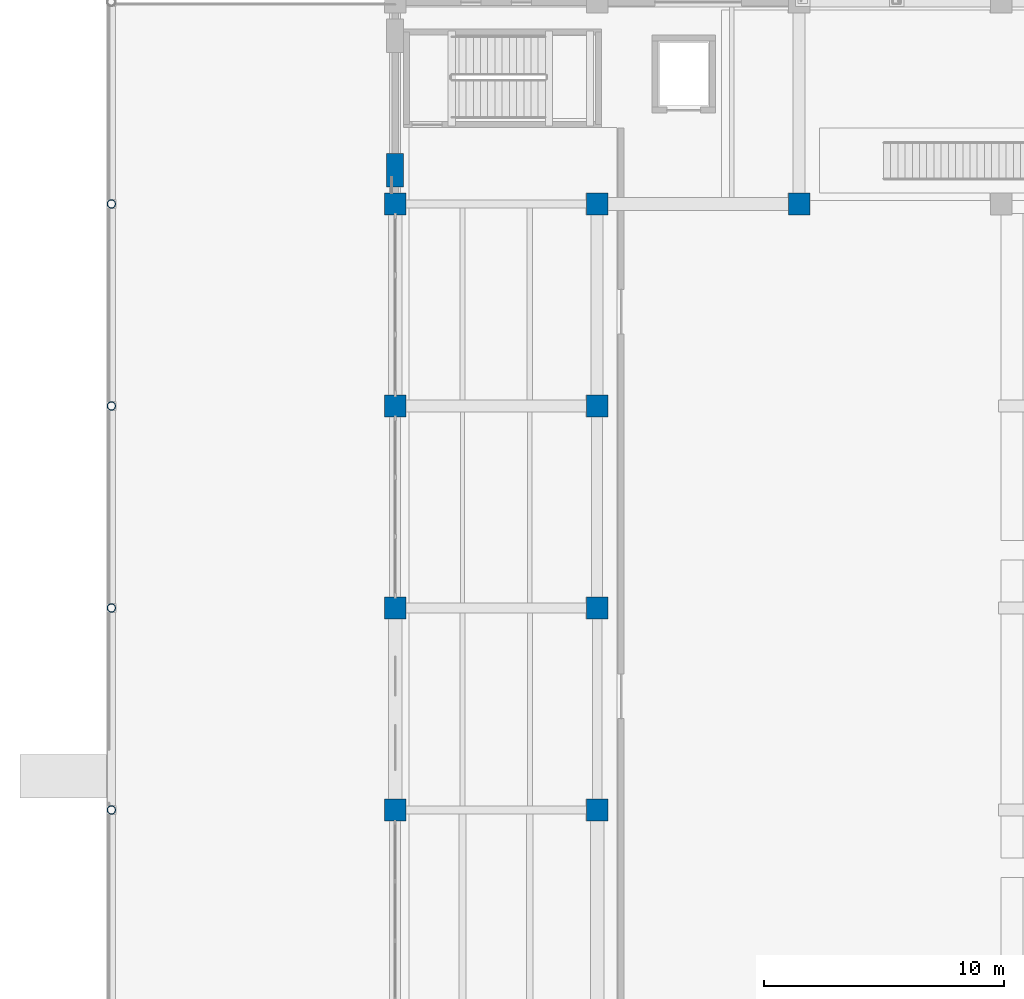
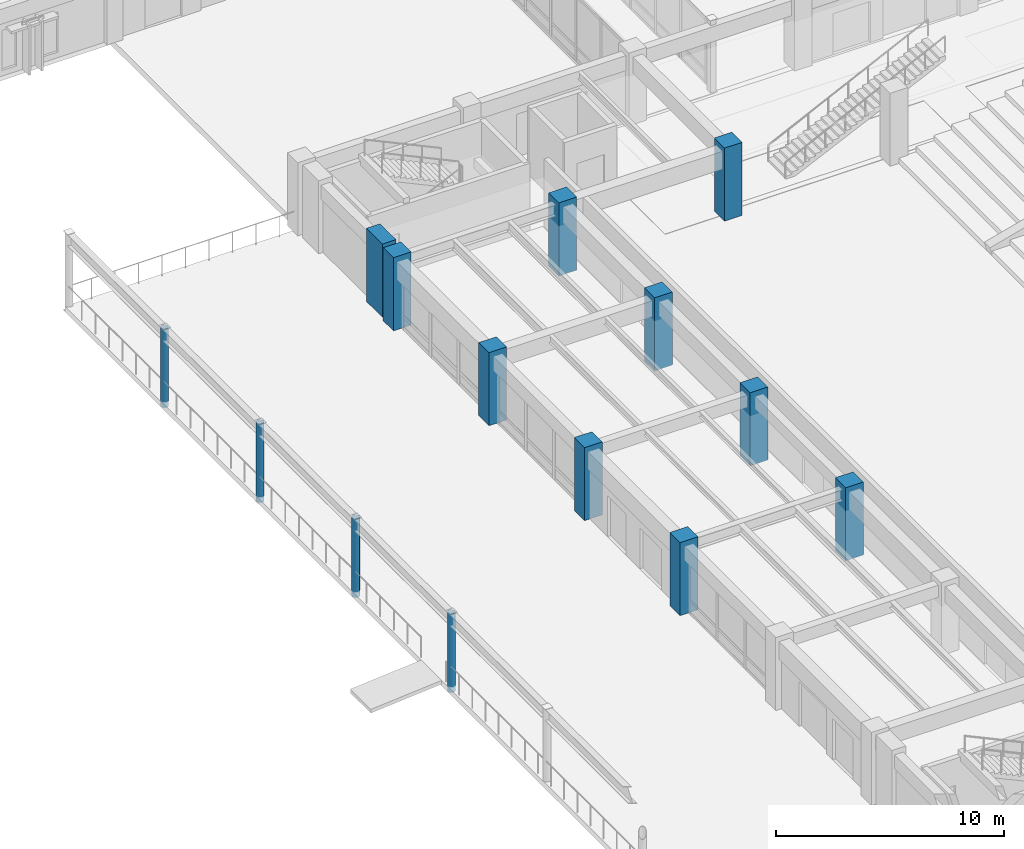
# One storey, part 3 of 135: 14 columns.
"""IFC4 building model written with IfcOpenShell, lengths in metres."""

from ifc_helpers import new_model, si_unit, direction, frame, origin, origin_2d, place, context, subcontext, project, spatial, rectangle, hollow_circle, extrude, material, material_profile, profile_set, type_object, element, save


model = new_model("IFC4")

# Units and contexts
model_context = context("Model", 3, precision=1e-05, world=origin(), true_north=direction((0.0, 1.0)))
body_context = subcontext(model_context, "Body", "Model", "MODEL_VIEW")
ifc_project = project(units=[si_unit("LENGTHUNIT", "METRE"), si_unit("AREAUNIT", "SQUARE_METRE"), si_unit("VOLUMEUNIT", "CUBIC_METRE"), si_unit("PLANEANGLEUNIT", "RADIAN"), si_unit("MASSUNIT", "GRAM", prefix="KILO")], contexts=[model_context])

# Site, building, storey
site_placement = place(None, origin())
site = spatial("IfcSite", under=ifc_project, at=site_placement, CompositionType="ELEMENT")
building_placement = place(site_placement, origin())
building = spatial("IfcBuilding", under=site, at=building_placement, Name="Cumbredor Promenade Congress Hotel", CompositionType="ELEMENT")
storey_placement = place(building_placement, origin())
storey = spatial("IfcBuildingStorey", under=building, at=storey_placement, Name="L00", CompositionType="ELEMENT", Elevation=0.0)

# Columns
ifc_material_1 = material(Name="Concrete C50/60", Category="concrete")
ifc_material_profile_1 = material_profile(ifc_material_1, rectangle(XDim=0.89990234375, YDim=0.89990234375, at=origin_2d()), Name="RC 900x900")
ifc_profile_set_1 = profile_set([ifc_material_profile_1], Name="Concrete C50/60")
column_type_1 = type_object("IfcColumnType", Name="COL-RC-900", PredefinedType="COLUMN", material=ifc_profile_set_1)
for number, where, z_axis, x_axis, name in (
    (1, (8.39990234375, 33.60009765625, 0.0), (0.0, 0.0, 1.0), (1.0, 0.0, 0.0), "L00 Structural Column 009"),
    (2, (8.39990234375, 42.0, 0.0), (0.0, 0.0, 1.0), (1.0, 0.0, 0.0), "L00 Structural Column 010"),
    (3, (8.39990234375, 50.39990234375, 0.0), (0.0, 0.0, 1.0), (1.0, 0.0, 0.0), "L00 Structural Column 011"),
    (4, (8.39990234375, 58.800048828125, 0.0), (0.0, 0.0, 1.0), (1.0, 0.0, 0.0), "L00 Structural Column 012"),
    (5, (16.800048828125, 33.60009765625, 0.0), (0.0, 0.0, 1.0), (1.0, 0.0, 0.0), "L00 Structural Column 022"),
    (6, (16.800048828125, 42.0, 0.0), (0.0, 0.0, 1.0), (1.0, 0.0, 0.0), "L00 Structural Column 023"),
    (7, (16.800048828125, 50.39990234375, 0.0), (0.0, 0.0, 1.0), (1.0, 0.0, 0.0), "L00 Structural Column 024"),
    (8, (16.800048828125, 58.800048828125, 0.0), (0.0, 0.0, 1.0), (1.0, 0.0, 0.0), "L00 Structural Column 025"),
    (9, (25.199951171875, 58.800048828125, 0.0), (0.0, 0.0, 1.0), (1.0, 0.0, 0.0), "L00 Structural Column 034"),
):
    element("IfcColumn", number, at=place(storey_placement, frame(where, z_axis=z_axis, x_axis=x_axis)), inside=storey, type_object=column_type_1, Name=name, PredefinedType="COLUMN", context=body_context, shape_type="SweptSolid", body=[
        extrude(rectangle(XDim=0.89990234375, YDim=0.89990234375, at=origin_2d()), origin(), (0.0, 0.0, 1.0), 3.919921875),
    ])
ifc_material_2 = material(Name="Steel ASTM A500 Grade C", Category="steel")
ifc_material_profile_2 = material_profile(ifc_material_2, hollow_circle(Radius=0.177734375, WallThickness=0.01611328125, at=origin_2d()), Name="CHS 355.6x16")
ifc_profile_set_2 = profile_set([ifc_material_profile_2], Name="Steel ASTM A500 Grade C")
column_type_2 = type_object("IfcColumnType", Name="COL-STL-CHS355", PredefinedType="COLUMN", material=ifc_profile_set_2)
for number, where, z_axis, x_axis, name in (
    (10, (-3.39990234375, 33.60009765625, -0.300048828125), (0.0, 0.0, 1.0), (1.0, 0.0, 0.0), "Promenade Colonnade Column TC-004"),
    (11, (-3.39990234375, 42.0, -0.300048828125), (0.0, 0.0, 1.0), (1.0, 0.0, 0.0), "Promenade Colonnade Column TC-005"),
    (12, (-3.39990234375, 50.39990234375, -0.300048828125), (0.0, 0.0, 1.0), (1.0, 0.0, 0.0), "Promenade Colonnade Column TC-006"),
    (13, (-3.39990234375, 58.800048828125, -0.300048828125), (0.0, 0.0, 1.0), (1.0, 0.0, 0.0), "Promenade Colonnade Column TC-007"),
):
    element("IfcColumn", number, at=place(storey_placement, frame(where, z_axis=z_axis, x_axis=x_axis)), inside=storey, type_object=column_type_2, Name=name, PredefinedType="COLUMN", context=body_context, shape_type="SweptSolid", body=[
        extrude(hollow_circle(Radius=0.177734375, WallThickness=0.01611328125, at=origin_2d()), origin(), (0.0, 0.0, 1.0), 4.219970703125),
    ])
ifc_material_profile_3 = material_profile(ifc_material_1, rectangle(XDim=0.699951171875, YDim=1.39990234375, at=origin_2d()), Name="RC PILASTER 1400x700")
ifc_profile_set_3 = profile_set([ifc_material_profile_3], Name="Concrete C50/60")
column_type_3 = type_object("IfcColumnType", Name="PIL-RC-1400x700", PredefinedType="PILASTER", material=ifc_profile_set_3)
column_placement = place(storey_placement, frame((8.39990234375, 60.199951171875, 0.0), z_axis=(0.0, 0.0, 1.0), x_axis=(1.0, 0.0, 0.0)))
element("IfcColumn", 14, at=column_placement, inside=storey, type_object=column_type_3, Name="L00 Acoustic Seismic Pilaster 019", PredefinedType="PILASTER", context=body_context, shape_type="SweptSolid", body=[
    extrude(rectangle(XDim=0.699951171875, YDim=1.39990234375, at=origin_2d()), origin(), (0.0, 0.0, 1.0), 3.919921875),
])

save(model, "model.ifc")
